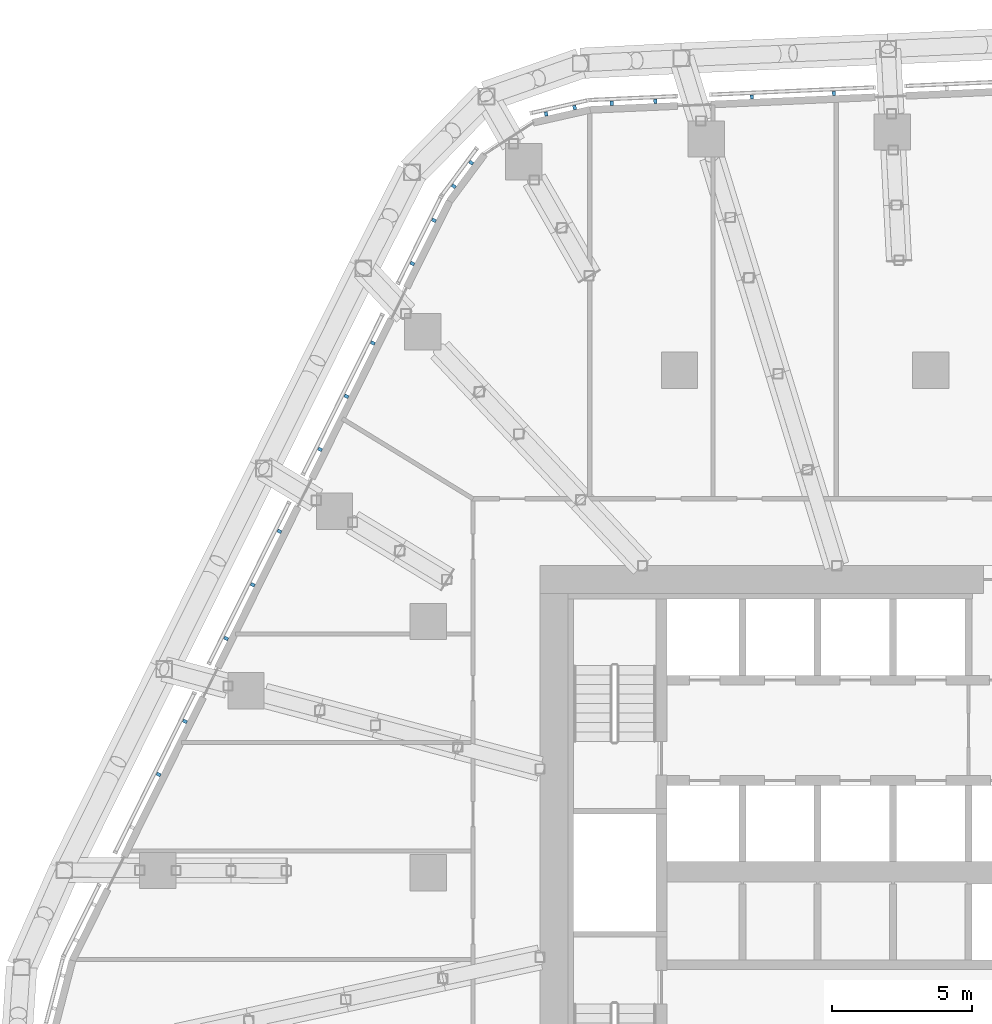
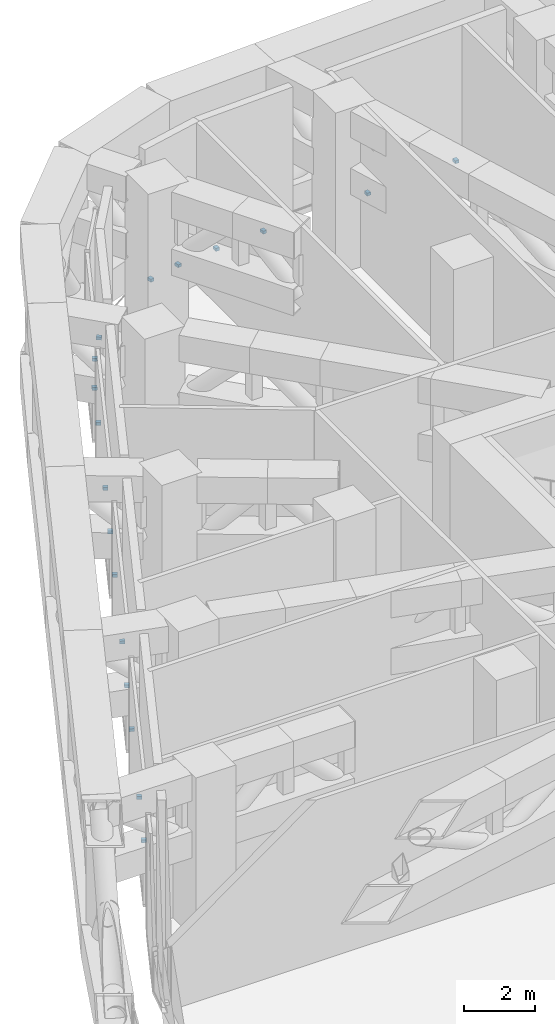
# One storey, part 23 of 30: 18 discrete accessories, 3 elements without a shape of their own.
"""IFC4 building model written with IfcOpenShell, lengths in metres."""

from ifc_helpers import new_model, si_unit, direction, frame, origin, origin_2d, place, context, subcontext, project, spatial, rectangle, extrude, material, layer, layer_set, type_object, element, aggregate, save


model = new_model("IFC4")

# Units and contexts
model_context = context("Model", 3, precision=1e-05, world=origin(), true_north=direction((0.0, 1.0)))
body_context = subcontext(model_context, "Body", "Model", "MODEL_VIEW")
ifc_project = project(units=[si_unit("LENGTHUNIT", "METRE"), si_unit("AREAUNIT", "SQUARE_METRE"), si_unit("VOLUMEUNIT", "CUBIC_METRE"), si_unit("PLANEANGLEUNIT", "RADIAN"), si_unit("MASSUNIT", "GRAM", prefix="KILO")], contexts=[model_context])

# Site, building, storey
site_placement = place(None, origin())
site = spatial("IfcSite", under=ifc_project, at=site_placement, CompositionType="ELEMENT")
building_placement = place(site_placement, origin())
building = spatial("IfcBuilding", under=site, at=building_placement, Name="Dongbaek Canopy Tower", CompositionType="ELEMENT")
storey_placement = place(building_placement, frame((0.0, 0.0, 145.60009765625)))
storey = spatial("IfcBuildingStorey", under=building, at=storey_placement, Name="L32", CompositionType="ELEMENT", Elevation=145.60009765625)

# Curtain wall, discrete accessories
ifc_material_1 = material(Name="Aluminium 6063-T6 pale anodised", Category="aluminium")
ifc_layer = layer(ifc_material_1, 0.14990234375)
ifc_layer_set = layer_set([ifc_layer], Name="CW-7 louvre curtain wall")
curtain_wall_type = type_object("IfcCurtainWallType", Name="CW-7 louvre curtain wall", PredefinedType="NOTDEFINED", material=ifc_layer_set)
curtain_wall_1_placement = place(storey_placement, origin())
curtain_wall_1 = element("IfcCurtainWall", 1, at=curtain_wall_1_placement, inside=storey, type_object=curtain_wall_type, Name="CW-7 louvre wall L32 F1", PredefinedType="NOTDEFINED")
ifc_material_2 = material(Name="Galvanised steel S355 bracket", Category="steel")
discrete_accessory_type = type_object("IfcDiscreteAccessoryType", Name="Louvre bracket BR1", PredefinedType="BRACKET", material=ifc_material_2)
discrete_accessory_1_placement = place(storey_placement, frame((-3.467529296875, 27.92529296875, 0.664794921875), z_axis=(0.0, 0.0, 1.0), x_axis=(-0.999015616031, -0.044359879696, 0.0)))
discrete_accessory_1 = element("IfcDiscreteAccessory", 2, at=discrete_accessory_1_placement, type_object=discrete_accessory_type, Name="Louvre bracket L32 F1.3.1", PredefinedType="BRACKET", context=body_context, shape_type="SweptSolid", body=[
    extrude(rectangle(XDim=0.1201171875, YDim=0.14990234375, at=origin_2d()), origin(), (0.0, 0.0, 1.0), 0.10009765625),
])
discrete_accessory_2_placement = place(storey_placement, frame((-6.404541015625, 27.794921875, 0.664794921875), z_axis=(0.0, 0.0, 1.0), x_axis=(-0.999015616031, -0.044359879696, 0.0)))
discrete_accessory_2 = element("IfcDiscreteAccessory", 3, at=discrete_accessory_2_placement, type_object=discrete_accessory_type, Name="Louvre bracket L32 F1.3.2", PredefinedType="BRACKET", context=body_context, shape_type="SweptSolid", body=[
    extrude(rectangle(XDim=0.1201171875, YDim=0.14990234375, at=origin_2d()), origin(), (0.0, 0.0, 1.0), 0.10009765625),
])
discrete_accessory_3_placement = place(storey_placement, frame((-9.864013671875, 27.641357421875, 0.664794921875), z_axis=(0.0, 0.0, 1.0), x_axis=(-0.999015616031, -0.044359879696, 0.0)))
discrete_accessory_3 = element("IfcDiscreteAccessory", 4, at=discrete_accessory_3_placement, type_object=discrete_accessory_type, Name="Louvre bracket L32 F1.4.1", PredefinedType="BRACKET", context=body_context, shape_type="SweptSolid", body=[
    extrude(rectangle(XDim=0.1201171875, YDim=0.14990234375, at=origin_2d()), origin(), (0.0, 0.0, 1.0), 0.10009765625),
])
discrete_accessory_4_placement = place(storey_placement, frame((-11.429443359375, 27.57177734375, 0.664794921875), z_axis=(0.0, 0.0, 1.0), x_axis=(-0.999015616031, -0.044359879696, 0.0)))
discrete_accessory_4 = element("IfcDiscreteAccessory", 5, at=discrete_accessory_4_placement, type_object=discrete_accessory_type, Name="Louvre bracket L32 F1.4.2", PredefinedType="BRACKET", context=body_context, shape_type="SweptSolid", body=[
    extrude(rectangle(XDim=0.1201171875, YDim=0.14990234375, at=origin_2d()), origin(), (0.0, 0.0, 1.0), 0.10009765625),
])
aggregate(curtain_wall_1, [discrete_accessory_1, discrete_accessory_2, discrete_accessory_3, discrete_accessory_4])

curtain_wall_2_placement = place(storey_placement, origin())
curtain_wall_2 = element("IfcCurtainWall", 6, at=curtain_wall_2_placement, inside=storey, type_object=curtain_wall_type, Name="CW-7 louvre wall L32 K2", PredefinedType="NOTDEFINED")
discrete_accessory_5_placement = place(storey_placement, frame((-12.757568359375, 27.417236328125, 0.664794921875), z_axis=(0.0, 0.0, 1.0), x_axis=(-0.975474699039, -0.220111588824, 0.0)))
discrete_accessory_5 = element("IfcDiscreteAccessory", 7, at=discrete_accessory_5_placement, type_object=discrete_accessory_type, Name="Louvre bracket L32 K2.1.1", PredefinedType="BRACKET", context=body_context, shape_type="SweptSolid", body=[
    extrude(rectangle(XDim=0.1201171875, YDim=0.14990234375, at=origin_2d()), origin(), (0.0, 0.0, 1.0), 0.10009765625),
])
discrete_accessory_6_placement = place(storey_placement, frame((-13.778076171875, 27.186767578125, 0.664794921875), z_axis=(0.0, 0.0, 1.0), x_axis=(-0.975474699039, -0.220111588824, 0.0)))
discrete_accessory_6 = element("IfcDiscreteAccessory", 8, at=discrete_accessory_6_placement, type_object=discrete_accessory_type, Name="Louvre bracket L32 K2.1.2", PredefinedType="BRACKET", context=body_context, shape_type="SweptSolid", body=[
    extrude(rectangle(XDim=0.1201171875, YDim=0.14990234375, at=origin_2d()), origin(), (0.0, 0.0, 1.0), 0.10009765625),
])
discrete_accessory_7_placement = place(storey_placement, frame((-16.463134765625, 25.43896484375, 0.664794921875), z_axis=(0.0, 0.0, 1.0), x_axis=(-0.596111887116, -0.802901375039, 0.0)))
discrete_accessory_7 = element("IfcDiscreteAccessory", 9, at=discrete_accessory_7_placement, type_object=discrete_accessory_type, Name="Louvre bracket L32 K2.2.1", PredefinedType="BRACKET", context=body_context, shape_type="SweptSolid", body=[
    extrude(rectangle(XDim=0.1201171875, YDim=0.14990234375, at=origin_2d()), origin(), (0.0, 0.0, 1.0), 0.10009765625),
])
discrete_accessory_8_placement = place(storey_placement, frame((-17.0869140625, 24.598876953125, 0.664794921875), z_axis=(0.0, 0.0, 1.0), x_axis=(-0.596111887116, -0.802901375039, 0.0)))
discrete_accessory_8 = element("IfcDiscreteAccessory", 10, at=discrete_accessory_8_placement, type_object=discrete_accessory_type, Name="Louvre bracket L32 K2.2.2", PredefinedType="BRACKET", context=body_context, shape_type="SweptSolid", body=[
    extrude(rectangle(XDim=0.1201171875, YDim=0.14990234375, at=origin_2d()), origin(), (0.0, 0.0, 1.0), 0.10009765625),
])
aggregate(curtain_wall_2, [discrete_accessory_5, discrete_accessory_6, discrete_accessory_7, discrete_accessory_8])

curtain_wall_3_placement = place(storey_placement, origin())
curtain_wall_3 = element("IfcCurtainWall", 11, at=curtain_wall_3_placement, inside=storey, type_object=curtain_wall_type, Name="CW-7 louvre wall L32 F2", PredefinedType="NOTDEFINED")
discrete_accessory_9_placement = place(storey_placement, frame((-17.80126953125, 23.375732421875, 0.664794921875), z_axis=(0.0, 0.0, 1.0), x_axis=(-0.444929333502, -0.895565680556, 0.0)))
discrete_accessory_9 = element("IfcDiscreteAccessory", 12, at=discrete_accessory_9_placement, type_object=discrete_accessory_type, Name="Louvre bracket L32 F2.1.1", PredefinedType="BRACKET", context=body_context, shape_type="SweptSolid", body=[
    extrude(rectangle(XDim=0.1201171875, YDim=0.14990234375, at=origin_2d()), origin(), (0.0, 0.0, 1.0), 0.10009765625),
])
discrete_accessory_10_placement = place(storey_placement, frame((-18.569091796875, 21.830078125, 0.664794921875), z_axis=(0.0, 0.0, 1.0), x_axis=(-0.444929333502, -0.895565680556, 0.0)))
discrete_accessory_10 = element("IfcDiscreteAccessory", 13, at=discrete_accessory_10_placement, type_object=discrete_accessory_type, Name="Louvre bracket L32 F2.1.2", PredefinedType="BRACKET", context=body_context, shape_type="SweptSolid", body=[
    extrude(rectangle(XDim=0.1201171875, YDim=0.14990234375, at=origin_2d()), origin(), (0.0, 0.0, 1.0), 0.10009765625),
])
discrete_accessory_11_placement = place(storey_placement, frame((-19.986083984375, 18.97802734375, 0.664794921875), z_axis=(0.0, 0.0, 1.0), x_axis=(-0.444929333502, -0.895565680556, 0.0)))
discrete_accessory_11 = element("IfcDiscreteAccessory", 14, at=discrete_accessory_11_placement, type_object=discrete_accessory_type, Name="Louvre bracket L32 F2.2.1", PredefinedType="BRACKET", context=body_context, shape_type="SweptSolid", body=[
    extrude(rectangle(XDim=0.1201171875, YDim=0.14990234375, at=origin_2d()), origin(), (0.0, 0.0, 1.0), 0.10009765625),
])
discrete_accessory_12_placement = place(storey_placement, frame((-20.932861328125, 17.072509765625, 0.664794921875), z_axis=(0.0, 0.0, 1.0), x_axis=(-0.444929333502, -0.895565680556, 0.0)))
discrete_accessory_12 = element("IfcDiscreteAccessory", 15, at=discrete_accessory_12_placement, type_object=discrete_accessory_type, Name="Louvre bracket L32 F2.2.2", PredefinedType="BRACKET", context=body_context, shape_type="SweptSolid", body=[
    extrude(rectangle(XDim=0.1201171875, YDim=0.14990234375, at=origin_2d()), origin(), (0.0, 0.0, 1.0), 0.10009765625),
])
discrete_accessory_13_placement = place(storey_placement, frame((-21.87939453125, 15.1669921875, 0.664794921875), z_axis=(0.0, 0.0, 1.0), x_axis=(-0.444929333502, -0.895565680556, 0.0)))
discrete_accessory_13 = element("IfcDiscreteAccessory", 16, at=discrete_accessory_13_placement, type_object=discrete_accessory_type, Name="Louvre bracket L32 F2.2.3", PredefinedType="BRACKET", context=body_context, shape_type="SweptSolid", body=[
    extrude(rectangle(XDim=0.1201171875, YDim=0.14990234375, at=origin_2d()), origin(), (0.0, 0.0, 1.0), 0.10009765625),
])
discrete_accessory_14_placement = place(storey_placement, frame((-23.335205078125, 12.236572265625, 0.664794921875), z_axis=(0.0, 0.0, 1.0), x_axis=(-0.444929333502, -0.895565680556, 0.0)))
discrete_accessory_14 = element("IfcDiscreteAccessory", 17, at=discrete_accessory_14_placement, type_object=discrete_accessory_type, Name="Louvre bracket L32 F2.3.1", PredefinedType="BRACKET", context=body_context, shape_type="SweptSolid", body=[
    extrude(rectangle(XDim=0.1201171875, YDim=0.14990234375, at=origin_2d()), origin(), (0.0, 0.0, 1.0), 0.10009765625),
])
discrete_accessory_15_placement = place(storey_placement, frame((-24.289794921875, 10.315673828125, 0.664794921875), z_axis=(0.0, 0.0, 1.0), x_axis=(-0.444929333502, -0.895565680556, 0.0)))
discrete_accessory_15 = element("IfcDiscreteAccessory", 18, at=discrete_accessory_15_placement, type_object=discrete_accessory_type, Name="Louvre bracket L32 F2.3.2", PredefinedType="BRACKET", context=body_context, shape_type="SweptSolid", body=[
    extrude(rectangle(XDim=0.1201171875, YDim=0.14990234375, at=origin_2d()), origin(), (0.0, 0.0, 1.0), 0.10009765625),
])
discrete_accessory_16_placement = place(storey_placement, frame((-25.244140625, 8.39453125, 0.664794921875), z_axis=(0.0, 0.0, 1.0), x_axis=(-0.444929333502, -0.895565680556, 0.0)))
discrete_accessory_16 = element("IfcDiscreteAccessory", 19, at=discrete_accessory_16_placement, type_object=discrete_accessory_type, Name="Louvre bracket L32 F2.3.3", PredefinedType="BRACKET", context=body_context, shape_type="SweptSolid", body=[
    extrude(rectangle(XDim=0.1201171875, YDim=0.14990234375, at=origin_2d()), origin(), (0.0, 0.0, 1.0), 0.10009765625),
])
discrete_accessory_17_placement = place(storey_placement, frame((-26.721435546875, 5.4208984375, 0.664794921875), z_axis=(0.0, 0.0, 1.0), x_axis=(-0.444929333502, -0.895565680556, 0.0)))
discrete_accessory_17 = element("IfcDiscreteAccessory", 20, at=discrete_accessory_17_placement, type_object=discrete_accessory_type, Name="Louvre bracket L32 F2.4.1", PredefinedType="BRACKET", context=body_context, shape_type="SweptSolid", body=[
    extrude(rectangle(XDim=0.1201171875, YDim=0.14990234375, at=origin_2d()), origin(), (0.0, 0.0, 1.0), 0.10009765625),
])
discrete_accessory_18_placement = place(storey_placement, frame((-27.665771484375, 3.52001953125, 0.664794921875), z_axis=(0.0, 0.0, 1.0), x_axis=(-0.444929333502, -0.895565680556, 0.0)))
discrete_accessory_18 = element("IfcDiscreteAccessory", 21, at=discrete_accessory_18_placement, type_object=discrete_accessory_type, Name="Louvre bracket L32 F2.4.2", PredefinedType="BRACKET", context=body_context, shape_type="SweptSolid", body=[
    extrude(rectangle(XDim=0.1201171875, YDim=0.14990234375, at=origin_2d()), origin(), (0.0, 0.0, 1.0), 0.10009765625),
])
aggregate(curtain_wall_3, [discrete_accessory_9, discrete_accessory_10, discrete_accessory_11, discrete_accessory_12, discrete_accessory_13, discrete_accessory_14, discrete_accessory_15, discrete_accessory_16, discrete_accessory_17, discrete_accessory_18])

save(model, "model.ifc")
